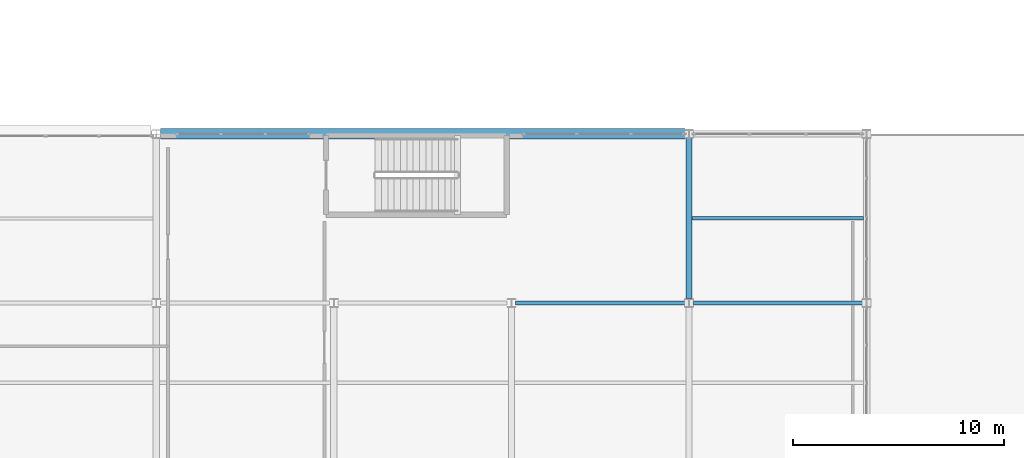
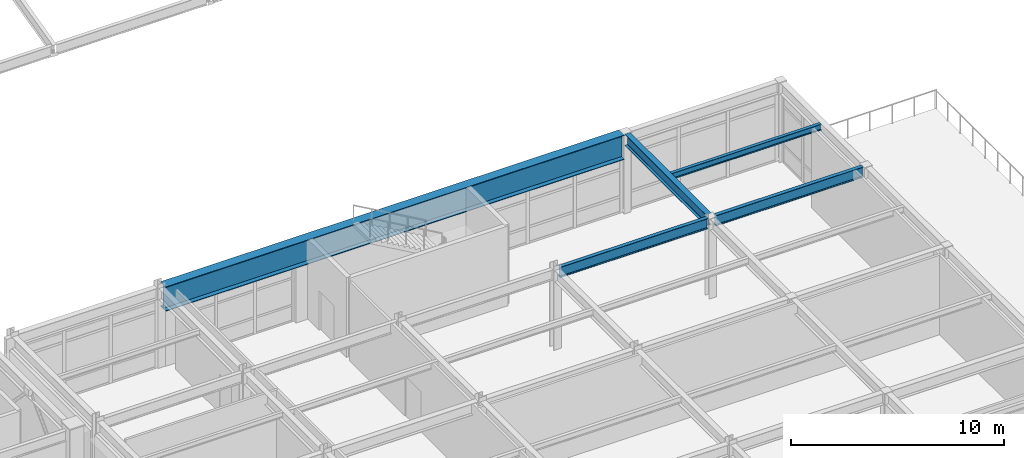
# One storey, part 35 of 93: 5 beams.
"""IFC4 building model written with IfcOpenShell, lengths in metres."""

from ifc_helpers import new_model, si_unit, direction, frame, origin, origin_2d, place, context, subcontext, project, spatial, i_section, extrude, material, material_profile, profile_set, type_object, element, save


model = new_model("IFC4")

# Units and contexts
model_context = context("Model", 3, precision=1e-05, world=origin(), true_north=direction((0.0, 1.0)))
body_context = subcontext(model_context, "Body", "Model", "MODEL_VIEW")
ifc_project = project(units=[si_unit("LENGTHUNIT", "METRE"), si_unit("AREAUNIT", "SQUARE_METRE"), si_unit("VOLUMEUNIT", "CUBIC_METRE"), si_unit("PLANEANGLEUNIT", "RADIAN"), si_unit("MASSUNIT", "GRAM", prefix="KILO")], contexts=[model_context])

# Site, building, storey
site_placement = place(None, origin())
site = spatial("IfcSite", under=ifc_project, at=site_placement, CompositionType="ELEMENT")
building_placement = place(site_placement, origin())
building = spatial("IfcBuilding", under=site, at=building_placement, Name="Kazehara Bluff Congress Hotel", CompositionType="ELEMENT")
storey_placement = place(building_placement, frame((0.0, 0.0, 15.0)))
storey = spatial("IfcBuildingStorey", under=building, at=storey_placement, Name="L03", CompositionType="ELEMENT", Elevation=15.0)

# Beams
ifc_material_1 = material(Name="Steel SN490B", Category="steel")
ifc_material_profile_1 = material_profile(ifc_material_1, i_section(OverallWidth=0.300048828125, OverallDepth=0.64990234375, WebThickness=0.011962890625, FlangeThickness=0.02001953125, FilletRadius=0.012939453125, at=origin_2d()))
ifc_profile_set_1 = profile_set([ifc_material_profile_1], Name="Steel SN490B")
beam_type_1 = type_object("IfcBeamType", Name="TP-G-03", PredefinedType="BEAM", material=ifc_profile_set_1)
beam_1_placement = place(storey_placement, frame((92.85009765625, 48.64990234375, 4.235107421875), z_axis=(0.0, 1.0, 0.0), x_axis=(-1.0, 0.0, 0.0)))
element("IfcBeam", 1, at=beam_1_placement, inside=storey, type_object=beam_type_1, Name="L03 girder G-03 65", PredefinedType="BEAM", context=body_context, shape_type="SweptSolid", body=[
    extrude(i_section(OverallWidth=0.300048828125, OverallDepth=0.64990234375, WebThickness=0.011962890625, FlangeThickness=0.02001953125, FilletRadius=0.012939453125, at=origin_2d()), origin(), (0.0, 0.0, 1.0), 7.60009765625),
])
ifc_material_2 = material(Name="Steel SN490B", Category="steel")
ifc_material_profile_2 = material_profile(ifc_material_2, i_section(OverallWidth=0.5, OverallDepth=1.39990234375, WebThickness=0.02197265625, FlangeThickness=0.035888671875, at=origin_2d()))
ifc_profile_set_2 = profile_set([ifc_material_profile_2], Name="Steel SN490B")
beam_type_2 = type_object("IfcBeamType", Name="TP-G-13", PredefinedType="BEAM", material=ifc_profile_set_2)
beam_2_placement = place(storey_placement, frame((67.85009765625, 56.449951171875, 3.860107421875), z_axis=(1.0, 0.0, 0.0), x_axis=(0.0, 1.0, 0.0)))
element("IfcBeam", 2, at=beam_2_placement, inside=storey, type_object=beam_type_2, Name="L03 girder G-13 99", PredefinedType="BEAM", context=body_context, shape_type="SweptSolid", body=[
    extrude(i_section(OverallWidth=0.5, OverallDepth=1.39990234375, WebThickness=0.02197265625, FlangeThickness=0.035888671875, at=origin_2d()), origin(), (0.0, 0.0, 1.0), 24.7998046875),
])
ifc_material_3 = material(Name="Steel SN400B", Category="steel")
ifc_material_profile_3 = material_profile(ifc_material_3, i_section(OverallWidth=0.175048828125, OverallDepth=0.35009765625, WebThickness=0.007080078125, FlangeThickness=0.010986328125, FilletRadius=0.012939453125, at=origin_2d()))
ifc_profile_set_3 = profile_set([ifc_material_profile_3], Name="Steel SN400B")
beam_type_3 = type_object("IfcBeamType", Name="TP-J-02", PredefinedType="JOIST", material=ifc_profile_set_3)
beam_3_placement = place(storey_placement, frame((93.0, 52.449951171875, 4.385009765625), z_axis=(1.0, 0.0, 0.0), x_axis=(0.0, 1.0, 0.0)))
element("IfcBeam", 3, at=beam_3_placement, inside=storey, type_object=beam_type_3, Name="L03 secondary joist J-02 21", PredefinedType="JOIST", context=body_context, shape_type="SweptSolid", body=[
    extrude(i_section(OverallWidth=0.175048828125, OverallDepth=0.35009765625, WebThickness=0.007080078125, FlangeThickness=0.010986328125, FilletRadius=0.012939453125, at=origin_2d()), origin(), (0.0, 0.0, 1.0), 8.10009765625),
])
ifc_material_4 = material(Name="Steel SN490B", Category="steel")
ifc_material_profile_4 = material_profile(ifc_material_4, i_section(OverallWidth=0.199951171875, OverallDepth=0.60009765625, WebThickness=0.010986328125, FlangeThickness=0.01708984375, FilletRadius=0.012939453125, at=origin_2d()))
ifc_profile_set_4 = profile_set([ifc_material_profile_4], Name="Steel SN490B")
beam_type_4 = type_object("IfcBeamType", Name="TP-SP-02", PredefinedType="SPANDREL", material=ifc_profile_set_4)
for number, where, z_axis, x_axis, name in (
    (4, (84.64990234375, 48.449951171875, 4.260009765625), (1.0, 0.0, 0.0), (0.0, 1.0, 0.0), "L03 girder SP-02 96"),
    (5, (93.050048828125, 48.449951171875, 4.260009765625), (1.0, 0.0, 0.0), (0.0, 1.0, 0.0), "L03 girder SP-02 97"),
):
    element("IfcBeam", number, at=place(storey_placement, frame(where, z_axis=z_axis, x_axis=x_axis)), inside=storey, type_object=beam_type_4, Name=name, PredefinedType="SPANDREL", context=body_context, shape_type="SweptSolid", body=[
        extrude(i_section(OverallWidth=0.199951171875, OverallDepth=0.60009765625, WebThickness=0.010986328125, FlangeThickness=0.01708984375, FilletRadius=0.012939453125, at=origin_2d()), origin(), (0.0, 0.0, 1.0), 8.0),
    ])

save(model, "model.ifc")
